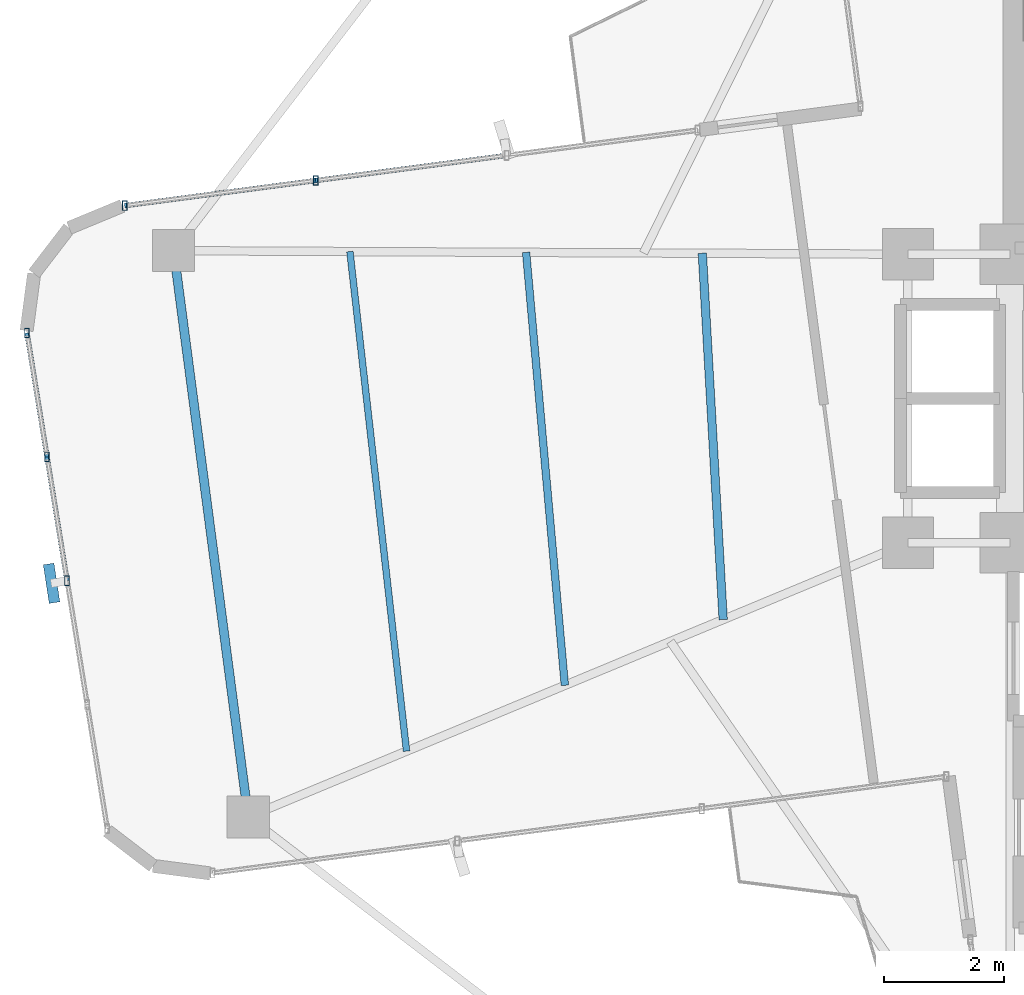
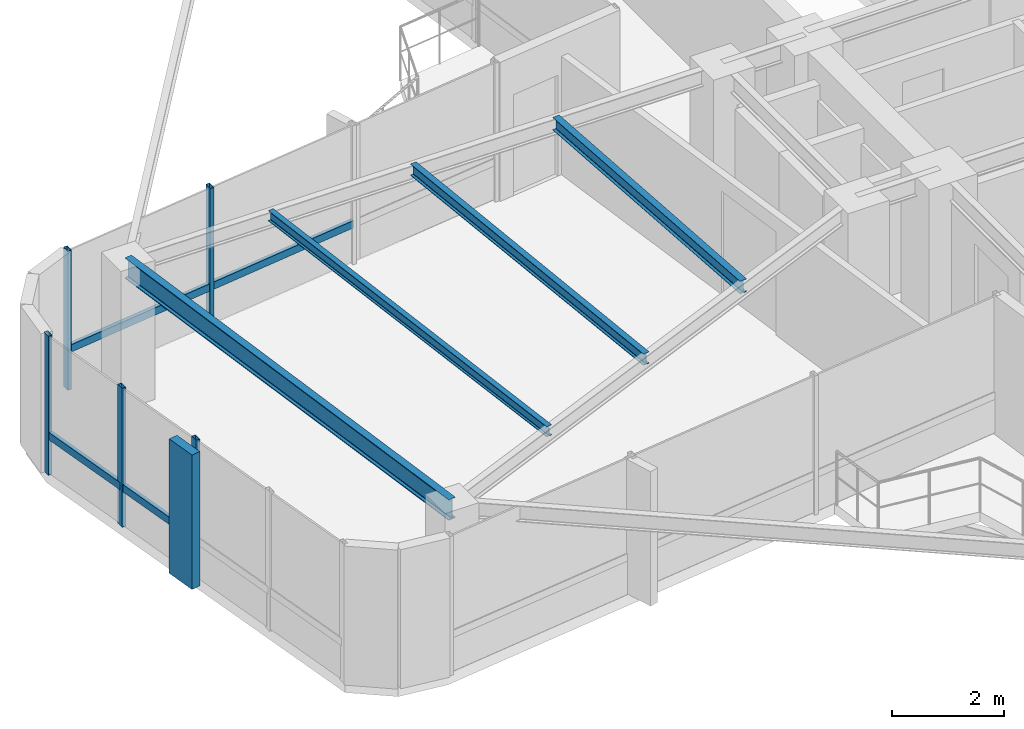
# One storey, part 7 of 22: 10 members, 4 beams, 2 elements without a shape of their own.
"""IFC4 building model written with IfcOpenShell, lengths in metres."""

from ifc_helpers import new_model, si_unit, direction, frame, origin, origin_2d, place, context, subcontext, project, spatial, rectangle, hollow_rectangle, i_section, extrude, source, transform, mapped, material, material_profile, profile_set, type_object, element, aggregate, save


model = new_model("IFC4")

# Units and contexts
model_context = context("Model", 3, precision=1e-05, world=origin(), true_north=direction((0.0, 1.0)))
body_context = subcontext(model_context, "Body", "Model", "MODEL_VIEW")
ifc_project = project(units=[si_unit("LENGTHUNIT", "METRE"), si_unit("AREAUNIT", "SQUARE_METRE"), si_unit("VOLUMEUNIT", "CUBIC_METRE"), si_unit("PLANEANGLEUNIT", "RADIAN"), si_unit("MASSUNIT", "GRAM", prefix="KILO")], contexts=[model_context])

# Site, building, storey
site_placement = place(None, origin())
site = spatial("IfcSite", under=ifc_project, at=site_placement, CompositionType="ELEMENT")
building_placement = place(site_placement, origin())
building = spatial("IfcBuilding", under=site, at=building_placement, Name="Sahyath Konkavel Grand Hotel", CompositionType="ELEMENT")
storey_placement = place(building_placement, frame((0.0, 0.0, 261.25)))
storey = spatial("IfcBuildingStorey", under=building, at=storey_placement, Name="L73", CompositionType="ELEMENT", Elevation=261.25)

# Beams
ifc_material_1 = material(Name="Steel E350", Category="steel")
ifc_material_profile_1 = material_profile(ifc_material_1, i_section(OverallWidth=0.14990234375, OverallDepth=0.449951171875, WebThickness=0.009521484375, FlangeThickness=0.017333984375, FilletRadius=0.014892578125, at=origin_2d()), Name="ISMB 450")
ifc_profile_set_1 = profile_set([ifc_material_profile_1], Name="Steel E350")
beam_type_1 = type_object("IfcBeamType", Name="BM-ISMB450", PredefinedType="BEAM", material=ifc_profile_set_1)
shared_shape_1 = source(origin(), body_context, "Body", "SweptSolid", [
    extrude(i_section(OverallWidth=0.14990234375, OverallDepth=0.449951171875, WebThickness=0.009521484375, FlangeThickness=0.017333984375, FilletRadius=0.014892578125, at=origin_2d()), origin(), (0.0, 0.0, 1.0), 9.5),
])
beam_1_placement = place(storey_placement, frame((-17.71240234375, 2.458984375, 2.804931640625), z_axis=(0.130525643939, -0.991444933556, 0.0), x_axis=(0.991444933556, 0.130525643939, 0.0)))
element("IfcBeam", 1, at=beam_1_placement, inside=storey, type_object=beam_type_1, Name="L73 Wing Tip Edge Beam W", PredefinedType="BEAM", context=body_context, shape_type="MappedRepresentation", body=[
    mapped(shared_shape_1, transform((0.0, 0.0, 0.0), scale=1.0)),
])
ifc_material_profile_2 = material_profile(ifc_material_1, i_section(OverallWidth=0.139892578125, OverallDepth=0.27490234375, WebThickness=0.00634765625, FlangeThickness=0.0087890625, FilletRadius=0.012939453125, at=origin_2d()), Name="ISLB 275")
ifc_profile_set_2 = profile_set([ifc_material_profile_2], Name="Steel E350")
beam_type_2 = type_object("IfcBeamType", Name="BM-ISLB275", PredefinedType="BEAM", material=ifc_profile_set_2)
shared_shape_2 = source(origin(), body_context, "Body", "SweptSolid", [
    extrude(i_section(OverallWidth=0.139892578125, OverallDepth=0.27490234375, WebThickness=0.00634765625, FlangeThickness=0.0087890625, FilletRadius=0.012939453125, at=origin_2d()), origin(), (0.0, 0.0, 1.0), 6.10302734375),
])
beam_2_placement = place(storey_placement, frame((-8.91943359375, 2.41650390625, 2.892578125), z_axis=(0.056883465537, -0.99838082481, 0.0), x_axis=(0.99838082481, 0.056883465537, 0.0)))
element("IfcBeam", 2, at=beam_2_placement, inside=storey, type_object=beam_type_2, Name="L73 Secondary Floor Beam W-1", PredefinedType="BEAM", context=body_context, shape_type="MappedRepresentation", body=[
    mapped(shared_shape_2, transform((0.0, 0.0, 0.0), scale=1.0)),
])
ifc_material_profile_3 = material_profile(ifc_material_1, i_section(OverallWidth=0.125, OverallDepth=0.25, WebThickness=0.0068359375, FlangeThickness=0.012451171875, FilletRadius=0.012939453125, at=origin_2d()), Name="ISMB 250")
ifc_profile_set_3 = profile_set([ifc_material_profile_3], Name="Steel E350")
beam_type_3 = type_object("IfcBeamType", Name="BM-ISMB250", PredefinedType="BEAM", material=ifc_profile_set_3)
shared_shape_3 = source(origin(), body_context, "Body", "SweptSolid", [
    extrude(i_section(OverallWidth=0.125, OverallDepth=0.25, WebThickness=0.0068359375, FlangeThickness=0.012451171875, FilletRadius=0.012939453125, at=origin_2d()), origin(), (0.0, 0.0, 1.0), 7.23046875),
])
beam_3_placement = place(storey_placement, frame((-11.8505859375, 2.4306640625, 2.905029296875), z_axis=(0.089174799421, -0.996015991412, 0.0), x_axis=(0.996015991412, 0.089174799421, 0.0)))
element("IfcBeam", 3, at=beam_3_placement, inside=storey, type_object=beam_type_3, Name="L73 Secondary Floor Beam W-2", PredefinedType="BEAM", context=body_context, shape_type="MappedRepresentation", body=[
    mapped(shared_shape_3, transform((0.0, 0.0, 0.0), scale=1.0)),
])
ifc_material_profile_4 = material_profile(ifc_material_1, i_section(OverallWidth=0.110107421875, OverallDepth=0.22509765625, WebThickness=0.006591796875, FlangeThickness=0.01171875, FilletRadius=0.011962890625, at=origin_2d()), Name="ISMB 225")
ifc_profile_set_4 = profile_set([ifc_material_profile_4], Name="Steel E350")
beam_type_4 = type_object("IfcBeamType", Name="BM-ISMB225", PredefinedType="BEAM", material=ifc_profile_set_4)
shared_shape_4 = source(origin(), body_context, "Body", "SweptSolid", [
    extrude(i_section(OverallWidth=0.110107421875, OverallDepth=0.22509765625, WebThickness=0.006591796875, FlangeThickness=0.01171875, FilletRadius=0.011962890625, at=origin_2d()), origin(), (0.0, 0.0, 1.0), 8.36328125),
])
beam_4_placement = place(storey_placement, frame((-14.781494140625, 2.44482421875, 2.91748046875), z_axis=(0.112680437677, -0.99363127918, 0.0), x_axis=(0.99363127918, 0.112680437677, 0.0)))
element("IfcBeam", 4, at=beam_4_placement, inside=storey, type_object=beam_type_4, Name="L73 Secondary Floor Beam W-3", PredefinedType="BEAM", context=body_context, shape_type="MappedRepresentation", body=[
    mapped(shared_shape_4, transform((0.0, 0.0, 0.0), scale=1.0)),
])

# Curtain wall, members
ifc_material_2 = material(Name="Anodised Bronze Aluminium & Low-E Glazing", Category="aluminium")
curtain_wall_type = type_object("IfcCurtainWallType", Name="CW-ZONE4", PredefinedType="NOTDEFINED", material=ifc_material_2)
curtain_wall_1_placement = place(storey_placement, origin())
curtain_wall_1 = element("IfcCurtainWall", 5, at=curtain_wall_1_placement, inside=storey, type_object=curtain_wall_type, Name="L73 Unitised Curtain Wall F16", PredefinedType="NOTDEFINED")
ifc_material_3 = material(Name="Anodised Bronze Aluminium", Category="aluminium")
ifc_material_profile_5 = material_profile(ifc_material_3, hollow_rectangle(XDim=0.080078125, YDim=0.159912109375, WallThickness=0.006103515625, at=origin_2d()), Name="RHS 160x80x6")
ifc_profile_set_5 = profile_set([ifc_material_profile_5], Name="Anodised Bronze Aluminium")
member_type_1 = type_object("IfcMemberType", Name="CW-MUL-160", PredefinedType="MULLION", material=ifc_profile_set_5)
shared_shape_5 = source(origin(), body_context, "Body", "SweptSolid", [
    extrude(hollow_rectangle(XDim=0.080078125, YDim=0.159912109375, WallThickness=0.006103515625, at=origin_2d()), origin(), (0.0, 0.0, 1.0), 3.030029296875),
])
member_1_placement = place(storey_placement, frame((-15.351318359375, 3.627197265625, 0.0), z_axis=(0.0, 0.0, 1.0), x_axis=(1.0, 0.0, 0.0)))
member_1 = element("IfcMember", 6, at=member_1_placement, type_object=member_type_1, Name="L73 Curtain Wall Mullion F16-2", PredefinedType="MULLION", context=body_context, shape_type="MappedRepresentation", body=[
    mapped(shared_shape_5, transform((0.0, 0.0, 0.0), scale=1.0)),
])
member_2_placement = place(storey_placement, frame((-18.52734375, 3.208984375, 0.0), z_axis=(0.0, 0.0, 1.0), x_axis=(1.0, 0.0, 0.0)))
member_2 = element("IfcMember", 7, at=member_2_placement, type_object=member_type_1, Name="L73 Curtain Wall Mullion F16-3", PredefinedType="MULLION", context=body_context, shape_type="MappedRepresentation", body=[
    mapped(shared_shape_5, transform((0.0, 0.0, 0.0), scale=1.0)),
])

curtain_wall_2_placement = place(storey_placement, origin())
curtain_wall_2 = element("IfcCurtainWall", 8, at=curtain_wall_2_placement, inside=storey, type_object=curtain_wall_type, Name="L73 Unitised Curtain Wall F20", PredefinedType="NOTDEFINED")
member_3_placement = place(storey_placement, frame((-20.1533203125, 1.0888671875, 0.0), z_axis=(0.0, 0.0, 1.0), x_axis=(1.0, 0.0, 0.0)))
member_3 = element("IfcMember", 9, at=member_3_placement, type_object=member_type_1, Name="L73 Curtain Wall Mullion F20-0", PredefinedType="MULLION", context=body_context, shape_type="MappedRepresentation", body=[
    mapped(shared_shape_5, transform((0.0, 0.0, 0.0), scale=1.0)),
])
member_4_placement = place(storey_placement, frame((-19.8203125, -0.9716796875, 0.0), z_axis=(0.0, 0.0, 1.0), x_axis=(1.0, 0.0, 0.0)))
member_4 = element("IfcMember", 10, at=member_4_placement, type_object=member_type_1, Name="L73 Curtain Wall Mullion F20-1", PredefinedType="MULLION", context=body_context, shape_type="MappedRepresentation", body=[
    mapped(shared_shape_5, transform((0.0, 0.0, 0.0), scale=1.0)),
])
member_5_placement = place(storey_placement, frame((-19.487060546875, -3.031982421875, 0.0), z_axis=(0.0, 0.0, 1.0), x_axis=(1.0, 0.0, 0.0)))
member_5 = element("IfcMember", 11, at=member_5_placement, type_object=member_type_1, Name="L73 Curtain Wall Mullion F20-2", PredefinedType="MULLION", context=body_context, shape_type="MappedRepresentation", body=[
    mapped(shared_shape_5, transform((0.0, 0.0, 0.0), scale=1.0)),
])
ifc_material_4 = material(Name="Warm Buff Sandstone Cladding on Concrete C50/60", Category="masonry")
ifc_material_profile_6 = material_profile(ifc_material_4, rectangle(XDim=0.179931640625, YDim=0.64990234375, at=origin_2d()), Name="FIN 180x650")
ifc_profile_set_6 = profile_set([ifc_material_profile_6], Name="Warm Buff Sandstone Cladding on Concrete C50/60")
member_type_2 = type_object("IfcMemberType", Name="FIN-SANDSTONE-650", PredefinedType="MULLION", material=ifc_profile_set_6)
shared_shape_6 = source(origin(), body_context, "Body", "SweptSolid", [
    extrude(rectangle(XDim=0.179931640625, YDim=0.64990234375, at=origin_2d()), origin(), (0.0, 0.0, 1.0), 2.929931640625),
])
member_6_placement = place(storey_placement, frame((-19.74365234375, -3.073486328125, 0.050048828125), z_axis=(0.0, 0.0, 1.0), x_axis=(0.988572951285, 0.150743225348, 0.0)))
member_6 = element("IfcMember", 12, at=member_6_placement, type_object=member_type_2, Name="L73 Sandstone Vertical Solar Fin FIN F20-2", PredefinedType="MULLION", context=body_context, shape_type="MappedRepresentation", body=[
    mapped(shared_shape_6, transform((0.0, 0.0, 0.0), scale=1.0)),
])

# Member
ifc_material_profile_7 = material_profile(ifc_material_3, hollow_rectangle(XDim=0.080078125, YDim=0.159912109375, WallThickness=0.006103515625, at=origin_2d()), Name="RHS 160x80x6")
ifc_profile_set_7 = profile_set([ifc_material_profile_7], Name="Anodised Bronze Aluminium")
member_type_3 = type_object("IfcMemberType", Name="CW-TRN-160", PredefinedType="USERDEFINED", material=ifc_profile_set_7)
shared_shape_7 = source(origin(), body_context, "Body", "SweptSolid", [
    extrude(hollow_rectangle(XDim=0.080078125, YDim=0.159912109375, WallThickness=0.006103515625, at=origin_2d()), origin(), (0.0, 0.0, 1.0), 3.203369140625),
])
member_7_placement = place(storey_placement, frame((-15.351318359375, 3.627197265625, 0.85009765625), z_axis=(-0.991441580194, -0.130551112835, 0.0), x_axis=(0.130551112835, -0.991441580194, 0.0)))
member_7 = element("IfcMember", 13, at=member_7_placement, type_object=member_type_3, Name="L73 Curtain Wall Transom F16-2-spandrel", ObjectType="TRANSOM", PredefinedType="USERDEFINED", context=body_context, shape_type="MappedRepresentation", body=[
    mapped(shared_shape_7, transform((0.0, 0.0, 0.0), scale=1.0)),
])

shared_shape_8 = source(origin(), body_context, "Body", "SweptSolid", [
    extrude(hollow_rectangle(XDim=0.080078125, YDim=0.159912109375, WallThickness=0.006103515625, at=origin_2d()), origin(), (0.0, 0.0, 1.0), 3.203125),
])
member_8_placement = place(storey_placement, frame((-12.175537109375, 4.04541015625, 0.85009765625), z_axis=(-0.991440281121, -0.13056097798, 0.0), x_axis=(0.13056097798, -0.991440281121, 0.0)))
member_8 = element("IfcMember", 14, at=member_8_placement, type_object=member_type_3, Name="L73 Curtain Wall Transom F16-1-spandrel", ObjectType="TRANSOM", PredefinedType="USERDEFINED", context=body_context, shape_type="MappedRepresentation", body=[
    mapped(shared_shape_8, transform((0.0, 0.0, 0.0), scale=1.0)),
])

aggregate(curtain_wall_1, [member_1, member_2, member_8, member_7])

shared_shape_9 = source(origin(), body_context, "Body", "SweptSolid", [
    extrude(hollow_rectangle(XDim=0.080078125, YDim=0.159912109375, WallThickness=0.006103515625, at=origin_2d()), origin(), (0.0, 0.0, 1.0), 2.08740234375),
])
member_9_placement = place(storey_placement, frame((-20.1533203125, 1.0888671875, 0.85009765625), z_axis=(0.159541334591, -0.98719124923, 0.0), x_axis=(0.98719124923, 0.159541334591, 0.0)))
member_9 = element("IfcMember", 15, at=member_9_placement, type_object=member_type_3, Name="L73 Curtain Wall Transom F20-0-spandrel", ObjectType="TRANSOM", PredefinedType="USERDEFINED", context=body_context, shape_type="MappedRepresentation", body=[
    mapped(shared_shape_9, transform((0.0, 0.0, 0.0), scale=1.0)),
])

shared_shape_10 = source(origin(), body_context, "Body", "SweptSolid", [
    extrude(hollow_rectangle(XDim=0.080078125, YDim=0.159912109375, WallThickness=0.006103515625, at=origin_2d()), origin(), (0.0, 0.0, 1.0), 2.087158203125),
])
member_10_placement = place(storey_placement, frame((-19.8203125, -0.9716796875, 0.85009765625), z_axis=(0.159673756436, -0.98716983924, 0.0), x_axis=(0.98716983924, 0.159673756436, 0.0)))
member_10 = element("IfcMember", 16, at=member_10_placement, type_object=member_type_3, Name="L73 Curtain Wall Transom F20-1-spandrel", ObjectType="TRANSOM", PredefinedType="USERDEFINED", context=body_context, shape_type="MappedRepresentation", body=[
    mapped(shared_shape_10, transform((0.0, 0.0, 0.0), scale=1.0)),
])

aggregate(curtain_wall_2, [member_3, member_4, member_5, member_6, member_9, member_10])

save(model, "model.ifc")
